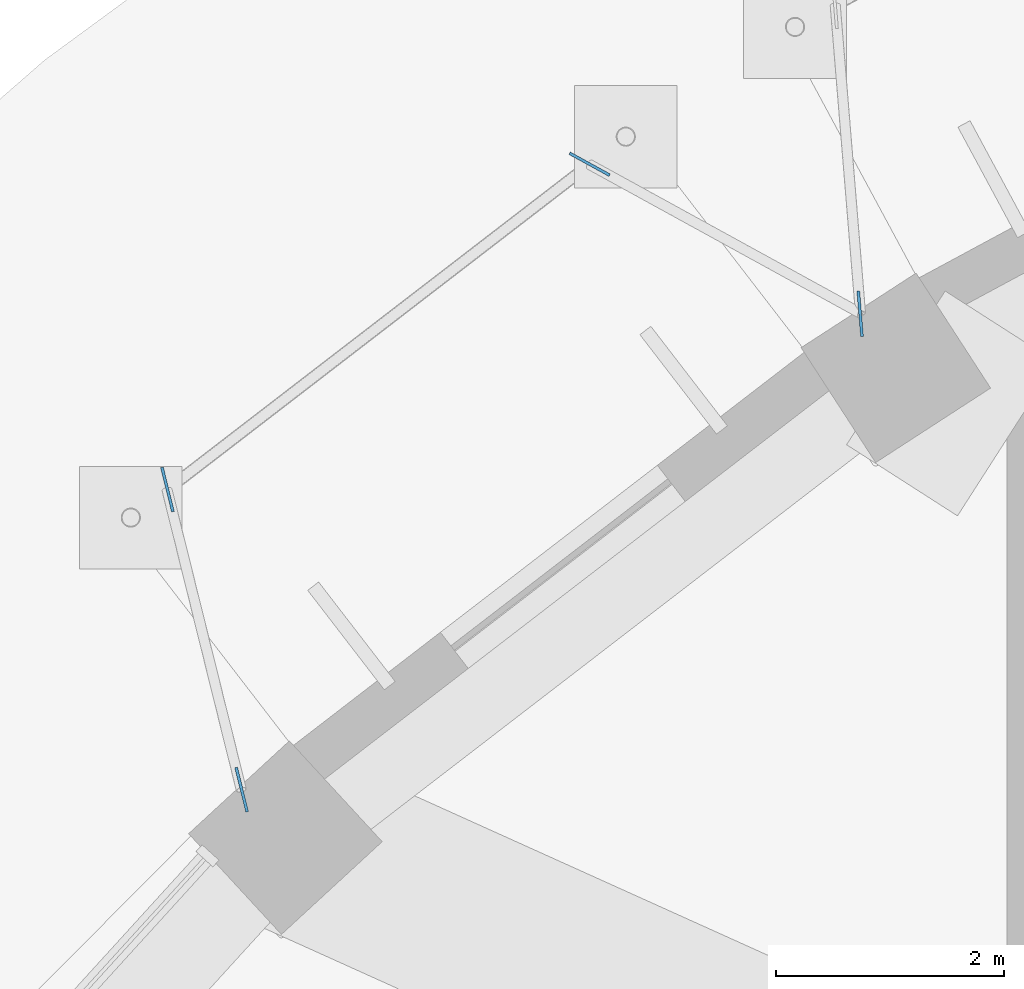
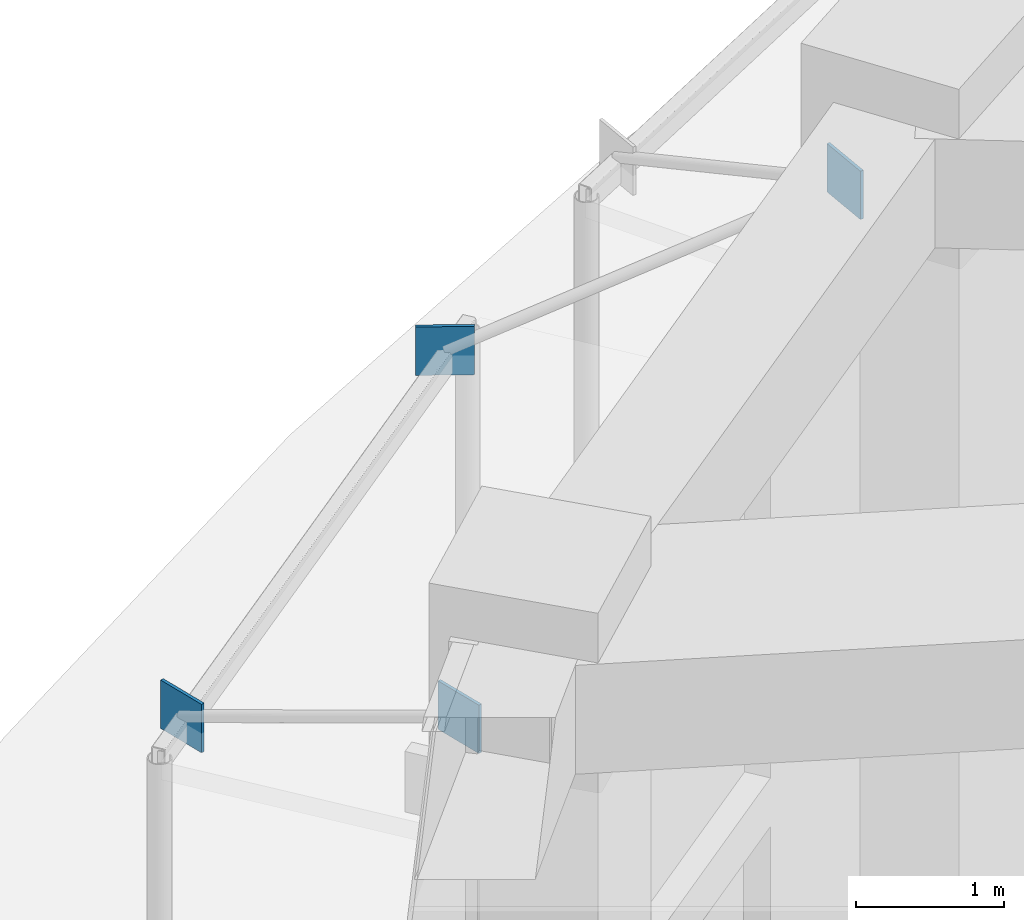
# One storey, part 46 of 60: 4 discrete accessories.
"""IFC4 building model written with IfcOpenShell, lengths in metres."""

from ifc_helpers import new_model, si_unit, direction, frame, origin, origin_2d, place, context, subcontext, project, spatial, rectangle, extrude, material, type_object, element, save


model = new_model("IFC4")

# Units and contexts
model_context = context("Model", 3, precision=1e-05, world=origin(), true_north=direction((0.0, 1.0)))
body_context = subcontext(model_context, "Body", "Model", "MODEL_VIEW")
ifc_project = project(units=[si_unit("LENGTHUNIT", "METRE"), si_unit("AREAUNIT", "SQUARE_METRE"), si_unit("VOLUMEUNIT", "CUBIC_METRE"), si_unit("PLANEANGLEUNIT", "RADIAN"), si_unit("MASSUNIT", "GRAM", prefix="KILO")], contexts=[model_context])

# Site, building, storey
site_placement = place(None, origin())
site = spatial("IfcSite", under=ifc_project, at=site_placement, CompositionType="ELEMENT")
building_placement = place(site_placement, origin())
building = spatial("IfcBuilding", under=site, at=building_placement, Name="Taillehof Tower", CompositionType="ELEMENT")
storey_placement = place(building_placement, origin())
storey = spatial("IfcBuildingStorey", under=building, at=storey_placement, Name="L00", CompositionType="ELEMENT", Elevation=0.0)

# Discrete accessories
ifc_material = material(Name="Steel S460M", Category="steel")
discrete_accessory_type = type_object("IfcDiscreteAccessoryType", Name="Steel gusset plate", PredefinedType="BRACKET", material=ifc_material)
for number, where, z_axis, x_axis, name in (
    (1, (-34.280029296875, 24.52001953125, 4.43994140625), (0.0, 0.0, 1.0), (0.240485555441, -0.970652717311, 0.0), "Gusset plate 005"),
    (2, (-33.6298828125, 21.889892578125, 5.800048828125), (0.0, 0.0, 1.0), (0.240485555441, -0.970652717311, 0.0), "Gusset plate 007"),
    (3, (-30.580078125, 27.3701171875, 4.43994140625), (0.0, 0.0, 1.0), (0.876478151527, -0.481441637061, 0.0), "Gusset plate 009"),
    (4, (-28.2099609375, 26.06005859375, 5.800048828125), (0.0, 0.0, 1.0), (0.081679326265, -0.996658661559, 0.0), "Gusset plate 013"),
):
    element("IfcDiscreteAccessory", number, at=place(storey_placement, frame(where, z_axis=z_axis, x_axis=x_axis)), inside=storey, type_object=discrete_accessory_type, Name=name, PredefinedType="BRACKET", context=body_context, shape_type="SweptSolid", body=[
        extrude(rectangle(XDim=0.39990234375, YDim=0.02490234375, at=origin_2d()), origin(), (0.0, 0.0, 1.0), 0.39990234375),
    ])

save(model, "model.ifc")
